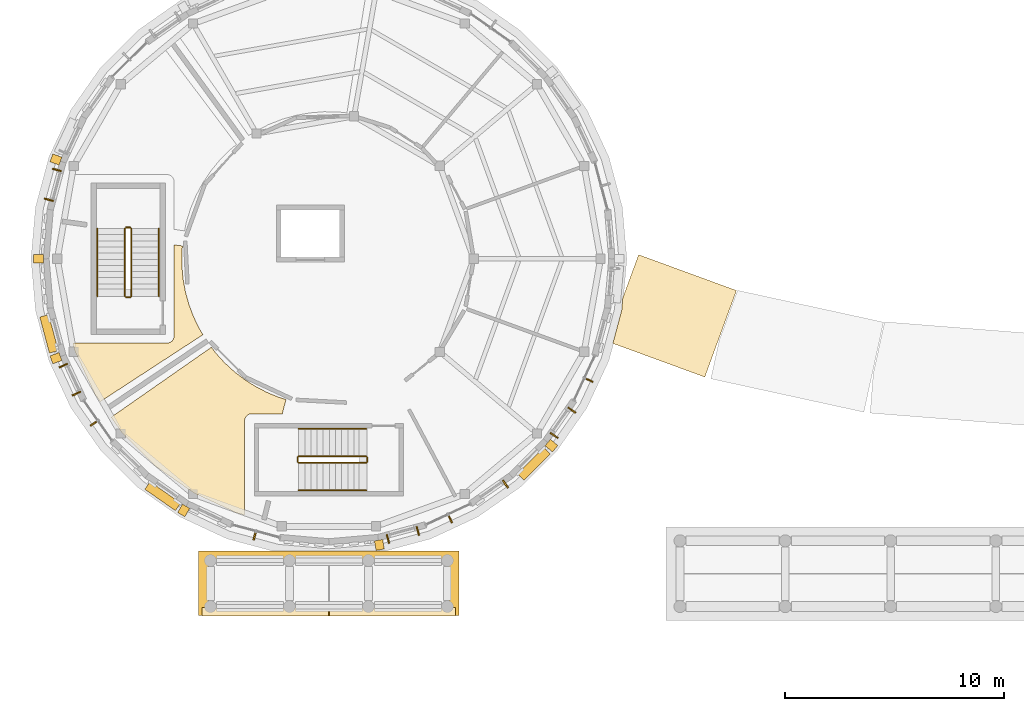
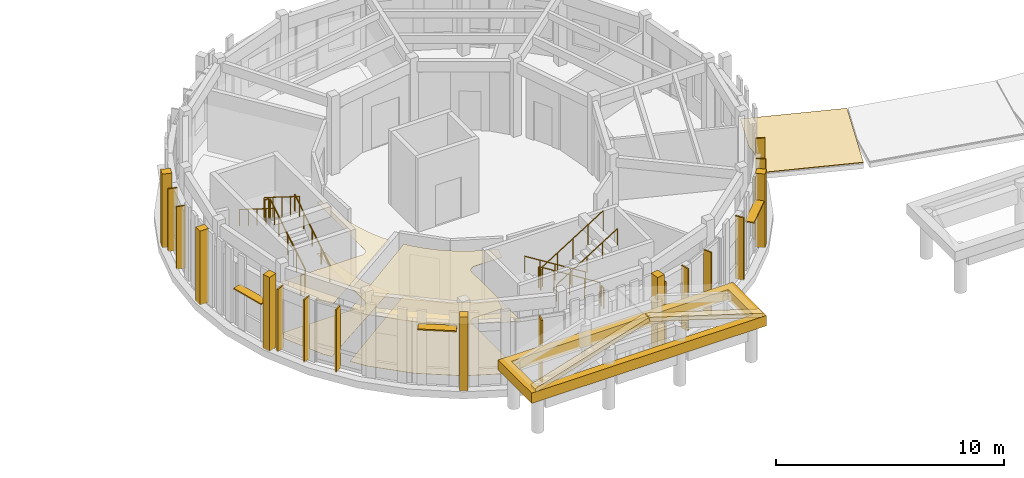
# One storey, part 65 of 80: 16 shading devices, 14 coverings, 12 railings.
"""IFC4 building model written with IfcOpenShell, lengths in metres."""

from ifc_helpers import new_model, si_unit, direction, frame, origin, origin_2d, place, context, subcontext, project, spatial, polyline, rectangle, circle, outline, extrude, material, layer, layer_set, type_object, element, save


model = new_model("IFC4")

# Units and contexts
model_context = context("Model", 3, precision=1e-05, world=origin(), true_north=direction((0.0, 1.0)))
body_context = subcontext(model_context, "Body", "Model", "MODEL_VIEW")
ifc_project = project(units=[si_unit("LENGTHUNIT", "METRE"), si_unit("AREAUNIT", "SQUARE_METRE"), si_unit("VOLUMEUNIT", "CUBIC_METRE"), si_unit("PLANEANGLEUNIT", "RADIAN"), si_unit("MASSUNIT", "GRAM", prefix="KILO")], contexts=[model_context])

# Site, building, storey
site_placement = place(None, origin())
site = spatial("IfcSite", under=ifc_project, at=site_placement, CompositionType="ELEMENT")
building_placement = place(site_placement, origin())
building = spatial("IfcBuilding", under=site, at=building_placement, Name="Aldenvaro Health Centre", CompositionType="ELEMENT")
storey_placement = place(building_placement, frame((0.0, 0.0, 4.550048828125)))
storey = spatial("IfcBuildingStorey", under=building, at=storey_placement, Name="L01", CompositionType="ELEMENT", Elevation=4.550048828125)

# Coverings
ifc_material_1 = material(Name="Antimicrobial Mineral Fibre Ceiling")
ifc_layer_1 = layer(ifc_material_1, 0.01806640625, Name="Antimicrobial Mineral Fibre Ceiling")
ifc_layer_set_1 = layer_set([ifc_layer_1], Name="Antimicrobial Mineral Fibre Ceiling")
covering_type_1 = type_object("IfcCoveringType", Name="COV-CLG-ACT18", PredefinedType="CEILING", material=ifc_layer_set_1)
covering_1_placement = place(storey_placement, frame((0.0, 0.0, 2.75)))
element("IfcCovering", 1, at=covering_1_placement, inside=storey, type_object=covering_type_1, Name="D5-L01-R03 Suspended Ceiling", PredefinedType="CEILING", context=body_context, shape_type="SweptSolid", body=[
    extrude(outline(polyline([(11.794921875, 18.7529296875), (11.7939453125, 18.73193359375), (11.799072265625, 18.1650390625), (11.800048828125, 18.14404296875), (11.85400390625, 17.5791015625), (11.85693359375, 17.55908203125), (11.9599609375, 17.0009765625), (11.965087890625, 16.97998046875), (12.115966796875, 16.43408203125), (12.123046875, 16.4140625), (12.322021484375, 15.883056640625), (12.330078125, 15.863037109375), (12.574951171875, 15.35107421875), (12.5849609375, 15.3330078125), (12.756103515625, 15.0419921875), (8.075927734375, 11.990966796875), (7.8310546875, 12.341064453125), (6.924072265625, 14.287109375), (6.823974609375, 14.659912109375), (11.1201171875, 14.659912109375), (11.132080078125, 14.659912109375), (11.139892578125, 14.660888671875), (11.1630859375, 14.6630859375), (11.1708984375, 14.6640625), (11.194091796875, 14.6689453125), (11.201904296875, 14.6708984375), (11.22412109375, 14.677001953125), (11.23095703125, 14.679931640625), (11.2529296875, 14.68896484375), (11.260009765625, 14.69189453125), (11.281005859375, 14.7041015625), (11.2880859375, 14.7080078125), (11.306884765625, 14.720947265625), (11.31396484375, 14.72509765625), (11.33203125, 14.739990234375), (11.337890625, 14.74609375), (11.35400390625, 14.761962890625), (11.360107421875, 14.76806640625), (11.375, 14.785888671875), (11.37890625, 14.79296875), (11.39208984375, 14.81201171875), (11.39599609375, 14.819091796875), (11.407958984375, 14.840087890625), (11.410888671875, 14.846923828125), (11.419921875, 14.868896484375), (11.423095703125, 14.8759765625), (11.428955078125, 14.89794921875), (11.430908203125, 14.906005859375), (11.43603515625, 14.928955078125), (11.43701171875, 14.93701171875), (11.43896484375, 14.9599609375), (11.43994140625, 14.968017578125), (11.43994140625, 14.97998046875), (11.43994140625, 19.137939453125), (11.822021484375, 19.090087890625), (11.794921875, 18.7529296875)])), origin(), (0.0, 0.0, 1.0), 0.01806640625),
])
covering_2_placement = place(storey_placement, frame((0.0, 0.0, 2.75)))
element("IfcCovering", 2, at=covering_2_placement, inside=storey, type_object=covering_type_1, Name="D5-L01-R04 Suspended Ceiling", PredefinedType="CEILING", context=body_context, shape_type="SweptSolid", body=[
    extrude(outline(polyline([(13.347900390625, 14.201904296875), (13.361083984375, 14.18603515625), (13.743896484375, 13.76708984375), (13.759033203125, 13.751953125), (14.177001953125, 13.368896484375), (14.193115234375, 13.35498046875), (14.64306640625, 13.010009765625), (14.659912109375, 12.998046875), (15.138916015625, 12.693115234375), (15.156982421875, 12.681884765625), (15.659912109375, 12.4208984375), (15.678955078125, 12.412109375), (16.202880859375, 12.195068359375), (16.222900390625, 12.18798828125), (16.544921875, 12.0869140625), (16.373046875, 11.43994140625), (14.97998046875, 11.43994140625), (14.968017578125, 11.43994140625), (14.9599609375, 11.43896484375), (14.93701171875, 11.43701171875), (14.928955078125, 11.43603515625), (14.906005859375, 11.430908203125), (14.89794921875, 11.428955078125), (14.8759765625, 11.423095703125), (14.868896484375, 11.419921875), (14.846923828125, 11.410888671875), (14.840087890625, 11.407958984375), (14.819091796875, 11.39599609375), (14.81201171875, 11.39208984375), (14.79296875, 11.37890625), (14.785888671875, 11.375), (14.76806640625, 11.360107421875), (14.761962890625, 11.35400390625), (14.74609375, 11.337890625), (14.739990234375, 11.33203125), (14.72509765625, 11.31396484375), (14.720947265625, 11.306884765625), (14.7080078125, 11.2880859375), (14.7041015625, 11.281005859375), (14.69189453125, 11.260009765625), (14.68896484375, 11.2529296875), (14.679931640625, 11.23095703125), (14.677001953125, 11.22412109375), (14.6708984375, 11.201904296875), (14.6689453125, 11.194091796875), (14.6640625, 11.1708984375), (14.6630859375, 11.1630859375), (14.660888671875, 11.139892578125), (14.659912109375, 11.132080078125), (14.659912109375, 11.1201171875), (14.659912109375, 6.823974609375), (14.287109375, 6.924072265625), (12.341064453125, 7.8310546875), (10.5810546875, 9.06298828125), (9.06298828125, 10.5810546875), (8.572998046875, 11.281982421875), (13.14306640625, 14.469970703125), (13.347900390625, 14.201904296875)])), origin(), (0.0, 0.0, 1.0), 0.01806640625),
])
ifc_material_2 = material(Name="Honed Sonoran Buff Limestone", Category="masonry")
ifc_layer_2 = layer(ifc_material_2, 0.280029296875, Name="Honed Sonoran Buff Limestone", Category="masonry")
ifc_layer_set_2 = layer_set([ifc_layer_2], Name="Honed Sonoran Buff Limestone")
covering_type_2 = type_object("IfcCoveringType", Name="COV-CRN-STN", PredefinedType="CLADDING", material=ifc_layer_set_2)
for number, where, z_axis, x_axis, name in (
    (3, (28.64208984375, 9.989013671875, -0.00048828125), (0.0, 0.0, 1.0), (0.76604377724, -0.642788403249, 0.0), "D5 L01 Engaged Classical Limestone Pilaster 03"),
    (4, (20.799072265625, 5.4609375, -0.00048828125), (0.0, 0.0, 1.0), (0.173643819888, -0.984808521396, 0.0), "D5 L01 Engaged Classical Limestone Pilaster 05"),
    (5, (11.8798828125, 7.033935546875, -0.00048828125), (0.0, 0.0, 1.0), (-0.499990860177, -0.8660306806, 0.0), "D5 L01 Engaged Classical Limestone Pilaster 07"),
    (6, (6.05810546875, 13.971923828125, -0.00048828125), (0.0, 0.0, 1.0), (-0.939693796234, -0.34201691379, 0.0), "D5 L01 Engaged Classical Limestone Pilaster 09"),
    (7, (5.260009765625, 18.5, -0.00048828125), (0.0, 0.0, 1.0), (-1.0, 0.0, 0.0), "D5 L01 Engaged Classical Limestone Pilaster 10"),
    (8, (6.05810546875, 23.028076171875, -0.00048828125), (0.0, 0.0, 1.0), (-0.939693796234, 0.34201691379, 0.0), "D5 L01 Engaged Classical Limestone Pilaster 11"),
):
    element("IfcCovering", number, at=place(storey_placement, frame(where, z_axis=z_axis, x_axis=x_axis)), inside=storey, type_object=covering_type_2, Name=name, PredefinedType="CLADDING", context=body_context, shape_type="SweptSolid", body=[
        extrude(rectangle(XDim=0.43994140625, YDim=0.3798828125, at=origin_2d()), origin(), (0.0, 0.0, 1.0), 3.955078125),
    ])
covering_3_placement = place(storey_placement, frame((0.0, 0.0, 1.849853515625)))
element("IfcCovering", 9, at=covering_3_placement, inside=storey, type_object=covering_type_2, Name="Pavilion Portico W5 Classical Entablature Cornice", PredefinedType="CLADDING", context=body_context, shape_type="SweptSolid", body=[
    extrude(outline(polyline([(12.56005859375, 2.239990234375), (12.56005859375, 5.179931640625), (24.43994140625, 5.179931640625), (24.43994140625, 2.239990234375), (12.56005859375, 2.239990234375)]), holes=[polyline([(23.97998046875, 4.800048828125), (13.02001953125, 4.800048828125), (13.02001953125, 2.60009765625), (23.97998046875, 2.60009765625), (23.97998046875, 4.800048828125)])]), origin(), (0.0, 0.0, 1.0), 0.550048828125),
])
for number, where, z_axis, x_axis, name in (
    (10, (12.719970703125, 2.219970703125, 2.58984375), (-0.297240682512, 0.0, 0.954802585177), (0.954802585177, 0.0, 0.297240682512), "Pavilion Portico W5 Raking Cornice W"),
    (11, (18.530029296875, 2.219970703125, 4.3798828125), (0.297240682512, 0.0, 0.954802585177), (0.954802585177, 0.0, -0.297240682512), "Pavilion Portico W5 Raking Cornice E"),
):
    element("IfcCovering", number, at=place(storey_placement, frame(where, z_axis=z_axis, x_axis=x_axis)), inside=storey, type_object=covering_type_2, Name=name, PredefinedType="CLADDING", context=body_context, shape_type="SweptSolid", body=[
        extrude(outline(polyline([(0.0, 0.0), (6.022187297425734, 0.0), (6.022187297425734, 0.400146484375), (0.0, 0.400146484375), (0.0, 0.0)])), origin(), (0.0, 0.0, -1.0), 0.219970703125),
    ])
ifc_material_3 = material(Name="Seamless Homogeneous Sheet Vinyl")
ifc_layer_3 = layer(ifc_material_3, 0.013916015625, Name="Seamless Homogeneous Sheet Vinyl")
ifc_layer_set_3 = layer_set([ifc_layer_3], Name="Seamless Homogeneous Sheet Vinyl")
covering_type_3 = type_object("IfcCoveringType", Name="COV-FLR-VNL14", PredefinedType="FLOORING", material=ifc_layer_set_3)
covering_4_placement = place(storey_placement, origin())
element("IfcCovering", 12, at=covering_4_placement, inside=storey, type_object=covering_type_3, Name="D5-L01-R03 Flooring", PredefinedType="FLOORING", context=body_context, shape_type="SweptSolid", body=[
    extrude(outline(polyline([(11.794921875, 18.7529296875), (11.7939453125, 18.73193359375), (11.799072265625, 18.1650390625), (11.800048828125, 18.14404296875), (11.85400390625, 17.5791015625), (11.85693359375, 17.55908203125), (11.9599609375, 17.0009765625), (11.965087890625, 16.97998046875), (12.115966796875, 16.43408203125), (12.123046875, 16.4140625), (12.322021484375, 15.883056640625), (12.330078125, 15.863037109375), (12.574951171875, 15.35107421875), (12.5849609375, 15.3330078125), (12.756103515625, 15.0419921875), (8.075927734375, 11.990966796875), (7.8310546875, 12.341064453125), (6.924072265625, 14.287109375), (6.823974609375, 14.659912109375), (11.1201171875, 14.659912109375), (11.132080078125, 14.659912109375), (11.139892578125, 14.660888671875), (11.1630859375, 14.6630859375), (11.1708984375, 14.6640625), (11.194091796875, 14.6689453125), (11.201904296875, 14.6708984375), (11.22412109375, 14.677001953125), (11.23095703125, 14.679931640625), (11.2529296875, 14.68896484375), (11.260009765625, 14.69189453125), (11.281005859375, 14.7041015625), (11.2880859375, 14.7080078125), (11.306884765625, 14.720947265625), (11.31396484375, 14.72509765625), (11.33203125, 14.739990234375), (11.337890625, 14.74609375), (11.35400390625, 14.761962890625), (11.360107421875, 14.76806640625), (11.375, 14.785888671875), (11.37890625, 14.79296875), (11.39208984375, 14.81201171875), (11.39599609375, 14.819091796875), (11.407958984375, 14.840087890625), (11.410888671875, 14.846923828125), (11.419921875, 14.868896484375), (11.423095703125, 14.8759765625), (11.428955078125, 14.89794921875), (11.430908203125, 14.906005859375), (11.43603515625, 14.928955078125), (11.43701171875, 14.93701171875), (11.43896484375, 14.9599609375), (11.43994140625, 14.968017578125), (11.43994140625, 14.97998046875), (11.43994140625, 19.137939453125), (11.822021484375, 19.090087890625), (11.794921875, 18.7529296875)])), origin(), (0.0, 0.0, 1.0), 0.013916015625),
])
covering_5_placement = place(storey_placement, origin())
element("IfcCovering", 13, at=covering_5_placement, inside=storey, type_object=covering_type_3, Name="D5-L01-R04 Flooring", PredefinedType="FLOORING", context=body_context, shape_type="SweptSolid", body=[
    extrude(outline(polyline([(13.347900390625, 14.201904296875), (13.361083984375, 14.18603515625), (13.743896484375, 13.76708984375), (13.759033203125, 13.751953125), (14.177001953125, 13.368896484375), (14.193115234375, 13.35498046875), (14.64306640625, 13.010009765625), (14.659912109375, 12.998046875), (15.138916015625, 12.693115234375), (15.156982421875, 12.681884765625), (15.659912109375, 12.4208984375), (15.678955078125, 12.412109375), (16.202880859375, 12.195068359375), (16.222900390625, 12.18798828125), (16.544921875, 12.0869140625), (16.373046875, 11.43994140625), (14.97998046875, 11.43994140625), (14.968017578125, 11.43994140625), (14.9599609375, 11.43896484375), (14.93701171875, 11.43701171875), (14.928955078125, 11.43603515625), (14.906005859375, 11.430908203125), (14.89794921875, 11.428955078125), (14.8759765625, 11.423095703125), (14.868896484375, 11.419921875), (14.846923828125, 11.410888671875), (14.840087890625, 11.407958984375), (14.819091796875, 11.39599609375), (14.81201171875, 11.39208984375), (14.79296875, 11.37890625), (14.785888671875, 11.375), (14.76806640625, 11.360107421875), (14.761962890625, 11.35400390625), (14.74609375, 11.337890625), (14.739990234375, 11.33203125), (14.72509765625, 11.31396484375), (14.720947265625, 11.306884765625), (14.7080078125, 11.2880859375), (14.7041015625, 11.281005859375), (14.69189453125, 11.260009765625), (14.68896484375, 11.2529296875), (14.679931640625, 11.23095703125), (14.677001953125, 11.22412109375), (14.6708984375, 11.201904296875), (14.6689453125, 11.194091796875), (14.6640625, 11.1708984375), (14.6630859375, 11.1630859375), (14.660888671875, 11.139892578125), (14.659912109375, 11.132080078125), (14.659912109375, 11.1201171875), (14.659912109375, 6.823974609375), (14.287109375, 6.924072265625), (12.341064453125, 7.8310546875), (10.5810546875, 9.06298828125), (9.06298828125, 10.5810546875), (8.572998046875, 11.281982421875), (13.14306640625, 14.469970703125), (13.347900390625, 14.201904296875)])), origin(), (0.0, 0.0, 1.0), 0.013916015625),
])
ifc_material_4 = material(Name="TPO Reflective Cool Roof Membrane")
ifc_layer_4 = layer(ifc_material_4, 0.030029296875, Name="TPO Reflective Cool Roof Membrane")
ifc_layer_set_4 = layer_set([ifc_layer_4], Name="TPO Reflective Cool Roof Membrane")
covering_type_4 = type_object("IfcCoveringType", Name="COV-RF-MEM", PredefinedType="ROOFING", material=ifc_layer_set_4)
covering_6_placement = place(storey_placement, frame((0.0, 0.0, 0.06005859375)))
element("IfcCovering", 14, at=covering_6_placement, inside=storey, type_object=covering_type_4, Name="South West Curved Peristyle Walkway Arc 1 flat roof Cool Limestone Ballast Membrane", PredefinedType="ROOFING", context=body_context, shape_type="SweptSolid", body=[
    extrude(outline(polyline([(32.614990234375, 18.68896484375), (37.074951171875, 17.056884765625), (35.631103515625, 13.113037109375), (31.44189453125, 14.64599609375), (31.843994140625, 16.14697265625), (31.89404296875, 16.717041015625), (32.614990234375, 18.68896484375)])), origin(), (0.0, 0.0, 1.0), 0.02978515625),
])

# Railings
ifc_material_5 = material(Name="Painted Architectural Steel", Category="steel")
railing_type_1 = type_object("IfcRailingType", Name="RL-BAL-INT", PredefinedType="BALUSTRADE", material=ifc_material_5)
railing_1_placement = place(storey_placement, frame((9.5, 16.800048828125, 0.175048828125)))
element("IfcRailing", 15, at=railing_1_placement, inside=storey, type_object=railing_type_1, Name="L01 ST-09 stair guard 1", PredefinedType="BALUSTRADE", context=body_context, shape_type="SweptSolid", body=[
    extrude(circle(Radius=0.02392578125, at=origin_2d()), frame((0.0, 0.0, 1.076171875), z_axis=(0.0, 0.848009633417, 0.529980812513), x_axis=(-1.0, 0.0, 0.0)), (0.0, 0.0, 1.0), 3.6318359375),
    extrude(circle(Radius=0.02099609375, at=origin_2d()), origin(), (0.0, 0.0, 1.0), 1.052001953125),
    extrude(circle(Radius=0.02099609375, at=origin_2d()), frame((0.0, 0.77001953125, 0.481201171875)), (0.0, 0.0, 1.0), 1.052001953125),
    extrude(circle(Radius=0.02099609375, at=origin_2d()), frame((0.0, 1.5400390625, 0.96240234375)), (0.0, 0.0, 1.0), 1.052001953125),
    extrude(circle(Radius=0.02099609375, at=origin_2d()), frame((0.0, 2.309814453125, 1.443603515625)), (0.0, 0.0, 1.0), 1.052001953125),
    extrude(circle(Radius=0.02099609375, at=origin_2d()), frame((0.0, 3.079833984375, 1.9248046875)), (0.0, 0.0, 1.0), 1.052001953125),
])
railing_2_placement = place(storey_placement, frame((9.449951171875, 19.929931640625, 2.099853515625)))
element("IfcRailing", 16, at=railing_2_placement, inside=storey, type_object=railing_type_1, Name="L01 ST-09 stair guard 2", PredefinedType="BALUSTRADE", context=body_context, shape_type="SweptSolid", body=[
    extrude(circle(Radius=0.02392578125, at=origin_2d()), frame((0.0, 0.0, 1.076171875), z_axis=(-1.0, 0.0, 0.0), x_axis=(0.0, -1.0, 0.0)), (0.0, 0.0, 1.0), 0.199951171875),
    extrude(circle(Radius=0.02099609375, at=origin_2d()), origin(), (0.0, 0.0, 1.0), 1.052001953125),
    extrude(circle(Radius=0.02099609375, at=origin_2d()), frame((-0.199951171875, 0.0, 0.0)), (0.0, 0.0, 1.0), 1.052001953125),
])
railing_3_placement = place(storey_placement, frame((9.199951171875, 19.8798828125, 2.27490234375)))
element("IfcRailing", 17, at=railing_3_placement, inside=storey, type_object=railing_type_1, Name="L01 ST-09 stair guard 3", PredefinedType="BALUSTRADE", context=body_context, shape_type="SweptSolid", body=[
    extrude(circle(Radius=0.02392578125, at=origin_2d()), frame((0.0, 0.0, 1.076171875), z_axis=(0.0, -0.847979421464, 0.530029150871), x_axis=(1.0, 0.0, 0.0)), (0.0, 0.0, 1.0), 3.632080078125),
    extrude(circle(Radius=0.02099609375, at=origin_2d()), origin(), (0.0, 0.0, 1.0), 1.052001953125),
    extrude(circle(Radius=0.02099609375, at=origin_2d()), frame((0.0, -0.77001953125, 0.481201171875)), (0.0, 0.0, 1.0), 1.052001953125),
    extrude(circle(Radius=0.02099609375, at=origin_2d()), frame((0.0, -1.5400390625, 0.96240234375)), (0.0, 0.0, 1.0), 1.052001953125),
    extrude(circle(Radius=0.02099609375, at=origin_2d()), frame((0.0, -2.309814453125, 1.44384765625)), (0.0, 0.0, 1.0), 1.052001953125),
    extrude(circle(Radius=0.02099609375, at=origin_2d()), frame((0.0, -3.079833984375, 1.925048828125)), (0.0, 0.0, 1.0), 1.052001953125),
])
railing_4_placement = place(storey_placement, frame((9.449951171875, 16.75, 0.0)))
element("IfcRailing", 18, at=railing_4_placement, inside=storey, type_object=railing_type_1, Name="L01 ST-09 stair guard 4", PredefinedType="BALUSTRADE", context=body_context, shape_type="SweptSolid", body=[
    extrude(circle(Radius=0.02392578125, at=origin_2d()), frame((0.0, 0.0, 1.076171875), z_axis=(-1.0, 0.0, 0.0), x_axis=(0.0, -1.0, 0.0)), (0.0, 0.0, 1.0), 0.199951171875),
    extrude(circle(Radius=0.02099609375, at=origin_2d()), origin(), (0.0, 0.0, 1.0), 1.052001953125),
    extrude(circle(Radius=0.02099609375, at=origin_2d()), frame((-0.199951171875, 0.0, 0.0)), (0.0, 0.0, 1.0), 1.052001953125),
])
railing_5_placement = place(storey_placement, frame((20.199951171875, 9.5, 0.175048828125)))
element("IfcRailing", 19, at=railing_5_placement, inside=storey, type_object=railing_type_1, Name="L01 ST-10 stair guard 1", PredefinedType="BALUSTRADE", context=body_context, shape_type="SweptSolid", body=[
    extrude(circle(Radius=0.02392578125, at=origin_2d()), frame((0.0, 0.0, 1.076171875), z_axis=(-0.848009633417, 0.0, 0.529980812513), x_axis=(0.0, -1.0, 0.0)), (0.0, 0.0, 1.0), 3.6318359375),
    extrude(circle(Radius=0.02099609375, at=origin_2d()), origin(), (0.0, 0.0, 1.0), 1.052001953125),
    extrude(circle(Radius=0.02099609375, at=origin_2d()), frame((-0.77001953125, 0.0, 0.481201171875)), (0.0, 0.0, 1.0), 1.052001953125),
    extrude(circle(Radius=0.02099609375, at=origin_2d()), frame((-1.5400390625, 0.0, 0.96240234375)), (0.0, 0.0, 1.0), 1.052001953125),
    extrude(circle(Radius=0.02099609375, at=origin_2d()), frame((-2.309814453125, 0.0, 1.443603515625)), (0.0, 0.0, 1.0), 1.052001953125),
    extrude(circle(Radius=0.02099609375, at=origin_2d()), frame((-3.079833984375, 0.0, 1.9248046875)), (0.0, 0.0, 1.0), 1.052001953125),
])
railing_6_placement = place(storey_placement, frame((17.070068359375, 9.449951171875, 2.099853515625)))
element("IfcRailing", 20, at=railing_6_placement, inside=storey, type_object=railing_type_1, Name="L01 ST-10 stair guard 2", PredefinedType="BALUSTRADE", context=body_context, shape_type="SweptSolid", body=[
    extrude(circle(Radius=0.02392578125, at=origin_2d()), frame((0.0, 0.0, 1.076171875), z_axis=(0.0, -1.0, 0.0), x_axis=(1.0, 0.0, 0.0)), (0.0, 0.0, 1.0), 0.199951171875),
    extrude(circle(Radius=0.02099609375, at=origin_2d()), origin(), (0.0, 0.0, 1.0), 1.052001953125),
    extrude(circle(Radius=0.02099609375, at=origin_2d()), frame((0.0, -0.199951171875, 0.0)), (0.0, 0.0, 1.0), 1.052001953125),
])
railing_7_placement = place(storey_placement, frame((17.1201171875, 9.199951171875, 2.27490234375)))
element("IfcRailing", 21, at=railing_7_placement, inside=storey, type_object=railing_type_1, Name="L01 ST-10 stair guard 3", PredefinedType="BALUSTRADE", context=body_context, shape_type="SweptSolid", body=[
    extrude(circle(Radius=0.02392578125, at=origin_2d()), frame((0.0, 0.0, 1.076171875), z_axis=(0.847979421464, 0.0, 0.530029150871), x_axis=(0.0, 1.0, 0.0)), (0.0, 0.0, 1.0), 3.632080078125),
    extrude(circle(Radius=0.02099609375, at=origin_2d()), origin(), (0.0, 0.0, 1.0), 1.052001953125),
    extrude(circle(Radius=0.02099609375, at=origin_2d()), frame((0.77001953125, 0.0, 0.481201171875)), (0.0, 0.0, 1.0), 1.052001953125),
    extrude(circle(Radius=0.02099609375, at=origin_2d()), frame((1.5400390625, 0.0, 0.96240234375)), (0.0, 0.0, 1.0), 1.052001953125),
    extrude(circle(Radius=0.02099609375, at=origin_2d()), frame((2.309814453125, 0.0, 1.44384765625)), (0.0, 0.0, 1.0), 1.052001953125),
    extrude(circle(Radius=0.02099609375, at=origin_2d()), frame((3.079833984375, 0.0, 1.925048828125)), (0.0, 0.0, 1.0), 1.052001953125),
])
railing_8_placement = place(storey_placement, frame((20.25, 9.449951171875, 0.0)))
element("IfcRailing", 22, at=railing_8_placement, inside=storey, type_object=railing_type_1, Name="L01 ST-10 stair guard 4", PredefinedType="BALUSTRADE", context=body_context, shape_type="SweptSolid", body=[
    extrude(circle(Radius=0.02392578125, at=origin_2d()), frame((0.0, 0.0, 1.076171875), z_axis=(0.0, -1.0, 0.0), x_axis=(1.0, 0.0, 0.0)), (0.0, 0.0, 1.0), 0.199951171875),
    extrude(circle(Radius=0.02099609375, at=origin_2d()), origin(), (0.0, 0.0, 1.0), 1.052001953125),
    extrude(circle(Radius=0.02099609375, at=origin_2d()), frame((0.0, -0.199951171875, 0.0)), (0.0, 0.0, 1.0), 1.052001953125),
])
railing_type_2 = type_object("IfcRailingType", Name="RL-HND-INT", PredefinedType="HANDRAIL", material=ifc_material_5)
railing_9_placement = place(storey_placement, frame((10.75, 16.800048828125, 0.175048828125)))
element("IfcRailing", 23, at=railing_9_placement, inside=storey, type_object=railing_type_2, Name="L01 ST-09 stair handrail 1", PredefinedType="HANDRAIL", context=body_context, shape_type="SweptSolid", body=[
    extrude(circle(Radius=0.02392578125, at=origin_2d()), frame((0.0, 0.0, 0.8759765625), z_axis=(0.0, 0.848009633417, 0.529980812513), x_axis=(-1.0, 0.0, 0.0)), (0.0, 0.0, 1.0), 3.6318359375),
    extrude(circle(Radius=0.02099609375, at=origin_2d()), origin(), (0.0, 0.0, 1.0), 0.851806640625),
    extrude(circle(Radius=0.02099609375, at=origin_2d()), frame((0.0, 0.77001953125, 0.481201171875)), (0.0, 0.0, 1.0), 0.851806640625),
    extrude(circle(Radius=0.02099609375, at=origin_2d()), frame((0.0, 1.5400390625, 0.96240234375)), (0.0, 0.0, 1.0), 0.851806640625),
    extrude(circle(Radius=0.02099609375, at=origin_2d()), frame((0.0, 2.309814453125, 1.443603515625)), (0.0, 0.0, 1.0), 0.851806640625),
    extrude(circle(Radius=0.02099609375, at=origin_2d()), frame((0.0, 3.079833984375, 1.9248046875)), (0.0, 0.0, 1.0), 0.851806640625),
])
railing_10_placement = place(storey_placement, frame((7.949951171875, 19.8798828125, 2.27490234375)))
element("IfcRailing", 24, at=railing_10_placement, inside=storey, type_object=railing_type_2, Name="L01 ST-09 stair handrail 2", PredefinedType="HANDRAIL", context=body_context, shape_type="SweptSolid", body=[
    extrude(circle(Radius=0.02392578125, at=origin_2d()), frame((0.0, 0.0, 0.8759765625), z_axis=(0.0, -0.847979421464, 0.530029150871), x_axis=(1.0, 0.0, 0.0)), (0.0, 0.0, 1.0), 3.632080078125),
    extrude(circle(Radius=0.02099609375, at=origin_2d()), origin(), (0.0, 0.0, 1.0), 0.851806640625),
    extrude(circle(Radius=0.02099609375, at=origin_2d()), frame((0.0, -0.77001953125, 0.481201171875)), (0.0, 0.0, 1.0), 0.851806640625),
    extrude(circle(Radius=0.02099609375, at=origin_2d()), frame((0.0, -1.5400390625, 0.96240234375)), (0.0, 0.0, 1.0), 0.851806640625),
    extrude(circle(Radius=0.02099609375, at=origin_2d()), frame((0.0, -2.309814453125, 1.44384765625)), (0.0, 0.0, 1.0), 0.851806640625),
    extrude(circle(Radius=0.02099609375, at=origin_2d()), frame((0.0, -3.079833984375, 1.925048828125)), (0.0, 0.0, 1.0), 0.851806640625),
])
railing_11_placement = place(storey_placement, frame((20.199951171875, 10.75, 0.175048828125)))
element("IfcRailing", 25, at=railing_11_placement, inside=storey, type_object=railing_type_2, Name="L01 ST-10 stair handrail 1", PredefinedType="HANDRAIL", context=body_context, shape_type="SweptSolid", body=[
    extrude(circle(Radius=0.02392578125, at=origin_2d()), frame((0.0, 0.0, 0.8759765625), z_axis=(-0.848009633417, 0.0, 0.529980812513), x_axis=(0.0, -1.0, 0.0)), (0.0, 0.0, 1.0), 3.6318359375),
    extrude(circle(Radius=0.02099609375, at=origin_2d()), origin(), (0.0, 0.0, 1.0), 0.851806640625),
    extrude(circle(Radius=0.02099609375, at=origin_2d()), frame((-0.77001953125, 0.0, 0.481201171875)), (0.0, 0.0, 1.0), 0.851806640625),
    extrude(circle(Radius=0.02099609375, at=origin_2d()), frame((-1.5400390625, 0.0, 0.96240234375)), (0.0, 0.0, 1.0), 0.851806640625),
    extrude(circle(Radius=0.02099609375, at=origin_2d()), frame((-2.309814453125, 0.0, 1.443603515625)), (0.0, 0.0, 1.0), 0.851806640625),
    extrude(circle(Radius=0.02099609375, at=origin_2d()), frame((-3.079833984375, 0.0, 1.9248046875)), (0.0, 0.0, 1.0), 0.851806640625),
])
railing_12_placement = place(storey_placement, frame((17.1201171875, 7.949951171875, 2.27490234375)))
element("IfcRailing", 26, at=railing_12_placement, inside=storey, type_object=railing_type_2, Name="L01 ST-10 stair handrail 2", PredefinedType="HANDRAIL", context=body_context, shape_type="SweptSolid", body=[
    extrude(circle(Radius=0.02392578125, at=origin_2d()), frame((0.0, 0.0, 0.8759765625), z_axis=(0.847979421464, 0.0, 0.530029150871), x_axis=(0.0, 1.0, 0.0)), (0.0, 0.0, 1.0), 3.632080078125),
    extrude(circle(Radius=0.02099609375, at=origin_2d()), origin(), (0.0, 0.0, 1.0), 0.851806640625),
    extrude(circle(Radius=0.02099609375, at=origin_2d()), frame((0.77001953125, 0.0, 0.481201171875)), (0.0, 0.0, 1.0), 0.851806640625),
    extrude(circle(Radius=0.02099609375, at=origin_2d()), frame((1.5400390625, 0.0, 0.96240234375)), (0.0, 0.0, 1.0), 0.851806640625),
    extrude(circle(Radius=0.02099609375, at=origin_2d()), frame((2.309814453125, 0.0, 1.44384765625)), (0.0, 0.0, 1.0), 0.851806640625),
    extrude(circle(Radius=0.02099609375, at=origin_2d()), frame((3.079833984375, 0.0, 1.925048828125)), (0.0, 0.0, 1.0), 0.851806640625),
])

# Shading devices
ifc_material_6 = material(Name="Douglas Fir Exterior Glulam GL28h", Category="wood")
shading_device_type_1 = type_object("IfcShadingDeviceType", Name="SHD-FIN-340", PredefinedType="USERDEFINED", material=ifc_material_6)
shading_device_1_placement = place(storey_placement, frame((26.548095703125, 8.23388671875, -0.01953125), z_axis=(0.0, 0.0, 1.0), x_axis=(-0.819106553991, -0.573641397746, 0.0)))
element("IfcShadingDevice", 27, at=shading_device_1_placement, inside=storey, type_object=shading_device_type_1, Name="D5 L01 Douglas fir fin 6.1", ObjectType="FIN", PredefinedType="USERDEFINED", context=body_context, shape_type="SweptSolid", body=[
    extrude(rectangle(XDim=0.074951171875, YDim=0.419921875, at=origin_2d()), origin(), (0.0, 0.0, 1.0), 3.34912109375),
])
shading_device_type_2 = type_object("IfcShadingDeviceType", Name="SHD-FIN-380", PredefinedType="USERDEFINED", material=ifc_material_6)
shading_device_2_placement = place(storey_placement, frame((15.1201171875, 5.884033203125, -0.01953125), z_axis=(0.0, 0.0, 1.0), x_axis=(-0.9659242304, 0.258825000966, 0.0)))
element("IfcShadingDevice", 28, at=shading_device_2_placement, inside=storey, type_object=shading_device_type_2, Name="D5 L01 vertical timber fin 11.0", ObjectType="FIN", PredefinedType="USERDEFINED", context=body_context, shape_type="SweptSolid", body=[
    extrude(rectangle(XDim=0.074951171875, YDim=0.419921875, at=origin_2d()), origin(), (0.0, 0.0, 1.0), 3.34912109375),
])
shading_device_type_3 = type_object("IfcShadingDeviceType", Name="SHD-FIN-400", PredefinedType="USERDEFINED", material=ifc_material_6)
for number, where, z_axis, x_axis, name in (
    (29, (29.573974609375, 11.60595703125, -0.01953125), (0.0, 0.0, 1.0), (-0.573641397746, -0.819106553991, 0.0), "D5 L01 Douglas fir fin 4.1"),
    (30, (28.76611328125, 10.451904296875, -0.01953125), (0.0, 0.0, 1.0), (-0.573641397746, -0.819106553991, 0.0), "D5 L01 Douglas fir fin 4.3"),
    (31, (6.991943359375, 12.35693359375, -0.01953125), (0.0, 0.0, 1.0), (-0.422495879545, 0.906364844733, 0.0), "D5 L01 Douglas fir fin 16.1"),
    (32, (6.39697265625, 13.633056640625, -0.01953125), (0.0, 0.0, 1.0), (-0.422495879545, 0.906364844733, 0.0), "D5 L01 Douglas fir fin 16.3"),
):
    element("IfcShadingDevice", number, at=place(storey_placement, frame(where, z_axis=z_axis, x_axis=x_axis)), inside=storey, type_object=shading_device_type_3, Name=name, ObjectType="FIN", PredefinedType="USERDEFINED", context=body_context, shape_type="SweptSolid", body=[
        extrude(rectangle(XDim=0.06494140625, YDim=0.419921875, at=origin_2d()), origin(), (0.0, 0.0, 1.0), 3.34912109375),
    ])
shading_device_type_4 = type_object("IfcShadingDeviceType", Name="SHD-FIN-420", PredefinedType="USERDEFINED", material=ifc_material_6)
for number, where, z_axis, x_axis, name in (
    (33, (30.3369140625, 12.97998046875, -0.01953125), (0.0, 0.0, 1.0), (-0.422495879545, -0.906364844733, 0.0), "D5 L01 vertical timber fin 3.0"),
    (34, (7.801025390625, 11.009033203125, -0.01953125), (0.0, 0.0, 1.0), (-0.573641397746, 0.819106553991, 0.0), "D5 L01 vertical timber fin 15.0"),
):
    element("IfcShadingDevice", number, at=place(storey_placement, frame(where, z_axis=z_axis, x_axis=x_axis)), inside=storey, type_object=shading_device_type_4, Name=name, ObjectType="FIN", PredefinedType="USERDEFINED", context=body_context, shape_type="SweptSolid", body=[
        extrude(rectangle(XDim=0.06494140625, YDim=0.419921875, at=origin_2d()), origin(), (0.0, 0.0, 1.0), 3.34912109375),
    ])
shading_device_type_5 = type_object("IfcShadingDeviceType", Name="SHD-FIN-435", PredefinedType="USERDEFINED", material=ifc_material_6)
for number, where, z_axis, x_axis, name in (
    (35, (22.552001953125, 6.10009765625, -0.01953125), (0.0, 0.0, 1.0), (-0.9659242304, -0.258825000966, 0.0), "D5 L01 Douglas fir fin 8.1"),
    (36, (21.19091796875, 5.736083984375, -0.01953125), (0.0, 0.0, 1.0), (-0.9659242304, -0.258825000966, 0.0), "D5 L01 Douglas fir fin 8.3"),
    (37, (5.736083984375, 21.19091796875, -0.01953125), (0.0, 0.0, 1.0), (0.258825000966, 0.9659242304, 0.0), "D5 L01 Douglas fir fin 20.1"),
    (38, (6.10009765625, 22.552001953125, -0.01953125), (0.0, 0.0, 1.0), (0.258825000966, 0.9659242304, 0.0), "D5 L01 Douglas fir fin 20.3"),
):
    element("IfcShadingDevice", number, at=place(storey_placement, frame(where, z_axis=z_axis, x_axis=x_axis)), inside=storey, type_object=shading_device_type_5, Name=name, ObjectType="FIN", PredefinedType="USERDEFINED", context=body_context, shape_type="SweptSolid", body=[
        extrude(rectangle(XDim=0.06494140625, YDim=0.419921875, at=origin_2d()), origin(), (0.0, 0.0, 1.0), 3.34912109375),
    ])
shading_device_type_6 = type_object("IfcShadingDeviceType", Name="SHD-FIN-455", PredefinedType="USERDEFINED", material=ifc_material_6)
shading_device_3_placement = place(storey_placement, frame((24.02001953125, 6.6630859375, -0.01953125), z_axis=(0.0, 0.0, 1.0), x_axis=(-0.906364844733, -0.422495879545, 0.0)))
element("IfcShadingDevice", 39, at=shading_device_3_placement, inside=storey, type_object=shading_device_type_6, Name="D5 L01 vertical timber fin 7.0", ObjectType="FIN", PredefinedType="USERDEFINED", context=body_context, shape_type="SweptSolid", body=[
    extrude(rectangle(XDim=0.06494140625, YDim=0.419921875, at=origin_2d()), origin(), (0.0, 0.0, 1.0), 3.34912109375),
])
shading_device_type_7 = type_object("IfcShadingDeviceType", Name="SHD-LVR-170", PredefinedType="JALOUSIE", material=ifc_material_6)
for number, where, z_axis, x_axis, name in (
    (40, (27.837890625, 9.162109375, 2.5498046875), (0.0, 0.0, 1.0), (-0.707106781187, -0.707106781187, 0.0), "D5 L01 horizontal solar louvre 05"),
    (41, (10.926025390625, 7.681884765625, 3.14990234375), (0.0, 0.0, 1.0), (-0.819106553991, 0.573641397746, 0.0), "D5 L01 horizontal solar louvre 13"),
    (42, (5.743896484375, 15.08203125, 2.25), (0.0, 0.0, 1.0), (-0.258825000966, 0.9659242304, 0.0), "D5 L01 horizontal solar louvre 17"),
):
    element("IfcShadingDevice", number, at=place(storey_placement, frame(where, z_axis=z_axis, x_axis=x_axis)), inside=storey, type_object=shading_device_type_7, Name=name, PredefinedType="JALOUSIE", context=body_context, shape_type="SweptSolid", body=[
        extrude(rectangle(XDim=1.699951171875, YDim=0.419921875, at=origin_2d()), origin(), (0.0, 0.0, 1.0), 0.06005859375),
    ])

save(model, "model.ifc")
